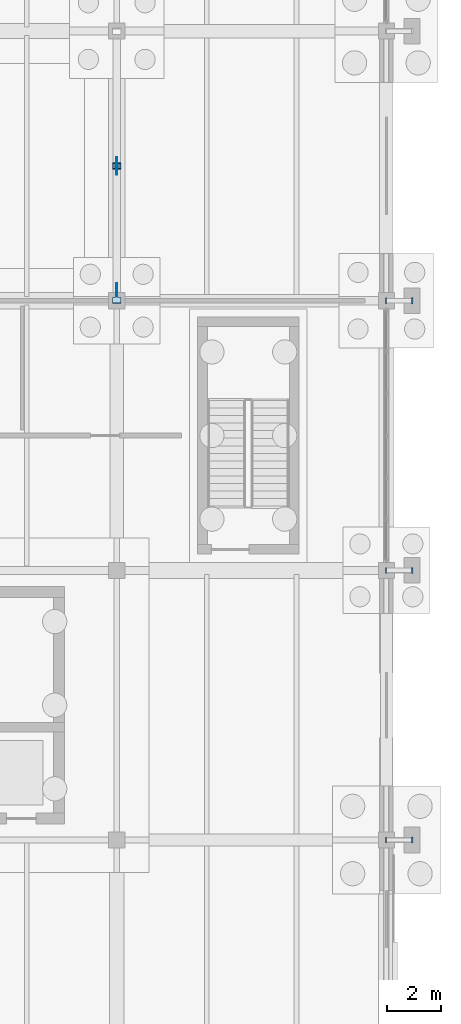
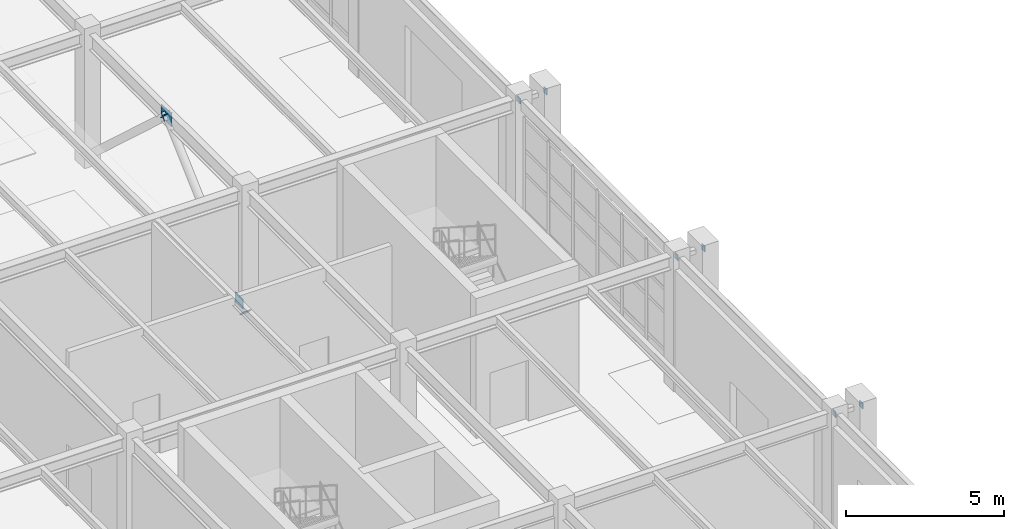
# One storey, part 115 of 145: 11 plates.
"""IFC4 building model written with IfcOpenShell, lengths in metres."""

from ifc_helpers import new_model, si_unit, direction, frame, origin, origin_2d, place, context, subcontext, project, spatial, rectangle, extrude, material, layer, layer_set, type_object, element, save


model = new_model("IFC4")

# Units and contexts
model_context = context("Model", 3, precision=1e-05, world=origin(), true_north=direction((0.0, 1.0)))
body_context = subcontext(model_context, "Body", "Model", "MODEL_VIEW")
ifc_project = project(units=[si_unit("LENGTHUNIT", "METRE"), si_unit("AREAUNIT", "SQUARE_METRE"), si_unit("VOLUMEUNIT", "CUBIC_METRE"), si_unit("PLANEANGLEUNIT", "RADIAN"), si_unit("MASSUNIT", "GRAM", prefix="KILO"), si_unit("THERMODYNAMICTEMPERATUREUNIT", "KELVIN"), si_unit("POWERUNIT", "WATT")], contexts=[model_context])

# Site, building, storey
site_placement = place(None, origin())
site = spatial("IfcSite", under=ifc_project, at=site_placement, CompositionType="ELEMENT")
building_placement = place(site_placement, origin())
building = spatial("IfcBuilding", under=site, at=building_placement, Name="Korenveer Ferry Terminal", CompositionType="ELEMENT")
storey_placement = place(building_placement, origin())
storey = spatial("IfcBuildingStorey", under=building, at=storey_placement, Name="L00", CompositionType="ELEMENT", Elevation=0.0)

# Plates
ifc_material = material(Name="Steel S355", Category="steel")
ifc_layer_1 = layer(ifc_material, 0.031982421875)
ifc_layer_set_1 = layer_set([ifc_layer_1], Name="Steel S355")
plate_type_1 = type_object("IfcPlateType", Name="STR-PLT-CAP32", PredefinedType="USERDEFINED", material=ifc_layer_set_1)
for number, where, z_axis, x_axis, name in (
    (1, (175.9677734375, 20.0, 4.949951171875), (1.0, 0.0, 0.0), (0.0, 1.0, 0.0), "Hollow section end cap 113"),
    (2, (176.9501953125, 20.0, 4.949951171875), (1.0, 0.0, 0.0), (0.0, 1.0, 0.0), "Hollow section end cap 114"),
    (3, (175.9677734375, 30.0, 4.949951171875), (1.0, 0.0, 0.0), (0.0, 1.0, 0.0), "Hollow section end cap 119"),
    (4, (176.9501953125, 30.0, 4.949951171875), (1.0, 0.0, 0.0), (0.0, 1.0, 0.0), "Hollow section end cap 120"),
    (5, (175.9677734375, 40.0, 4.949951171875), (1.0, 0.0, 0.0), (0.0, 1.0, 0.0), "Hollow section end cap 125"),
    (6, (176.9501953125, 40.0, 4.949951171875), (1.0, 0.0, 0.0), (0.0, 1.0, 0.0), "Hollow section end cap 126"),
):
    element("IfcPlate", number, at=place(storey_placement, frame(where, z_axis=z_axis, x_axis=x_axis)), inside=storey, type_object=plate_type_1, Name=name, ObjectType="END CAP PLATE", PredefinedType="USERDEFINED", context=body_context, shape_type="SweptSolid", body=[
        extrude(rectangle(XDim=0.2099609375, YDim=0.2099609375, at=origin_2d()), origin(), (0.0, 0.0, 1.0), 0.031982421875),
    ])
for number, where, z_axis, x_axis, name in (
    (7, (166.0, 39.99658203125, 0.218505859375), (0.0, 0.737522875906, 0.675322150914), (-1.0, 0.0, 0.0), "Hollow section end cap 598"),
    (8, (166.0, 45.0, 4.800048828125), (0.0, 0.737522875906, 0.675322150914), (-1.0, 0.0, 0.0), "Hollow section end cap 599"),
    (9, (166.0, 44.9765625, 4.821533203125), (0.0, 0.737522875906, -0.675322150914), (-1.0, 0.0, 0.0), "Hollow section end cap 600"),
):
    element("IfcPlate", number, at=place(storey_placement, frame(where, z_axis=z_axis, x_axis=x_axis)), inside=storey, type_object=plate_type_1, Name=name, ObjectType="END CAP PLATE", PredefinedType="USERDEFINED", context=body_context, shape_type="SweptSolid", body=[
        extrude(rectangle(XDim=0.302978515625, YDim=0.302978515625, at=origin_2d()), origin(), (0.0, 0.0, 1.0), 0.031982421875),
    ])
ifc_layer_2 = layer(ifc_material, 0.02392578125)
ifc_layer_set_2 = layer_set([ifc_layer_2], Name="Steel S355")
plate_type_2 = type_object("IfcPlateType", Name="STR-PLT-GUS24", PredefinedType="USERDEFINED", material=ifc_layer_set_2)
plate_1_placement = place(storey_placement, frame((166.0, 45.0, 4.550048828125), z_axis=(0.0, 0.0, 1.0), x_axis=(1.0, 0.0, 0.0)))
element("IfcPlate", 10, at=plate_1_placement, inside=storey, type_object=plate_type_2, Name="Chevron brace apex gusset 13", ObjectType="GUSSET PLATE", PredefinedType="USERDEFINED", context=body_context, shape_type="SweptSolid", body=[
    extrude(rectangle(XDim=0.02392578125, YDim=0.64990234375, at=origin_2d()), origin(), (0.0, 0.0, 1.0), 0.5),
])
plate_2_placement = place(storey_placement, frame((166.0, 40.39990234375, 0.239990234375), z_axis=(0.0, 0.0, 1.0), x_axis=(1.0, 0.0, 0.0)))
element("IfcPlate", 11, at=plate_2_placement, inside=storey, type_object=plate_type_2, Name="Chevron brace base gusset 14", ObjectType="GUSSET PLATE", PredefinedType="USERDEFINED", context=body_context, shape_type="SweptSolid", body=[
    extrude(rectangle(XDim=0.02392578125, YDim=0.5, at=origin_2d()), origin(), (0.0, 0.0, 1.0), 0.39990234375),
])

save(model, "model.ifc")
